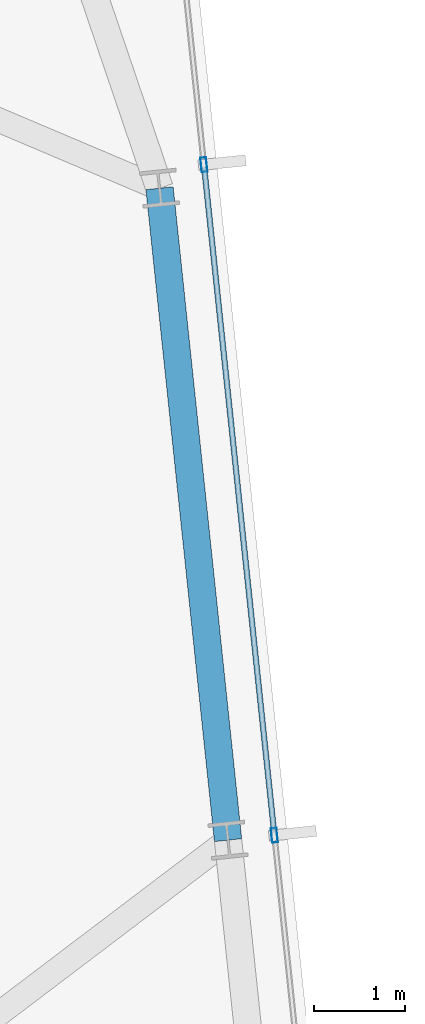
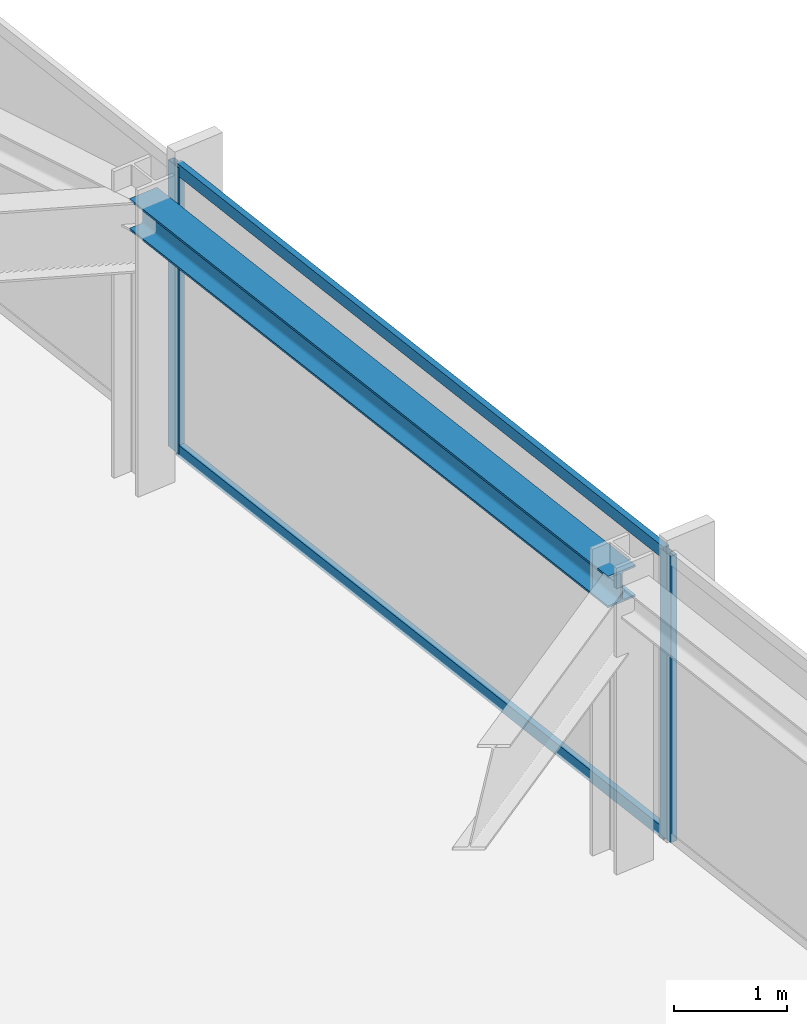
# One storey, part 19 of 33: 4 members, 1 beam, 1 element without a shape of its own.
"""IFC4 building model written with IfcOpenShell, lengths in metres."""

from ifc_helpers import new_model, si_unit, direction, frame, origin, origin_2d, place, context, subcontext, project, spatial, hollow_rectangle, i_section, extrude, material, material_profile, profile_set, type_object, element, aggregate, save


model = new_model("IFC4")

# Units and contexts
model_context = context("Model", 3, precision=1e-05, world=origin(), true_north=direction((0.0, 1.0)))
body_context = subcontext(model_context, "Body", "Model", "MODEL_VIEW")
ifc_project = project(units=[si_unit("LENGTHUNIT", "METRE"), si_unit("AREAUNIT", "SQUARE_METRE"), si_unit("VOLUMEUNIT", "CUBIC_METRE"), si_unit("PLANEANGLEUNIT", "RADIAN"), si_unit("MASSUNIT", "GRAM", prefix="KILO")], contexts=[model_context])

# Site, building, storey
site_placement = place(None, origin())
site = spatial("IfcSite", under=ifc_project, at=site_placement, CompositionType="ELEMENT")
building_placement = place(site_placement, origin())
building = spatial("IfcBuilding", under=site, at=building_placement, Name="Yelkora Congress Tower", CompositionType="ELEMENT")
storey_placement = place(building_placement, frame((0.0, 0.0, 221.0)))
storey = spatial("IfcBuildingStorey", under=building, at=storey_placement, Name="L61", CompositionType="ELEMENT", Elevation=221.0)

# Beam
ifc_material_1 = material(Name="Steel S355J2", Category="steel")
ifc_material_profile_1 = material_profile(ifc_material_1, i_section(OverallWidth=0.300048828125, OverallDepth=0.340087890625, WebThickness=0.011962890625, FlangeThickness=0.021484375, FilletRadius=0.027099609375, at=origin_2d()), Name="HEB 340")
ifc_profile_set_1 = profile_set([ifc_material_profile_1], Name="Steel S355J2")
beam_type = type_object("IfcBeamType", Name="BM-SPAN-HEB340", PredefinedType="SPANDREL", material=ifc_profile_set_1)
beam_placement = place(storey_placement, frame((69.60400390625, 34.296142578125, 2.909912109375), z_axis=(-0.104528914631, 0.994521847928, 0.0), x_axis=(-0.994521847928, -0.104528914631, 0.0)))
element("IfcBeam", 1, at=beam_placement, inside=storey, type_object=beam_type, Name="L61 Perimeter Beam 11", PredefinedType="SPANDREL", context=body_context, shape_type="SweptSolid", body=[
    extrude(i_section(OverallWidth=0.300048828125, OverallDepth=0.340087890625, WebThickness=0.011962890625, FlangeThickness=0.021484375, FilletRadius=0.027099609375, at=origin_2d()), origin(), (0.0, 0.0, 1.0), 7.175048828125),
])

# Curtain wall, members
ifc_material_2 = material(Name="Anodised aluminium and insulated glass", Category="aluminium")
curtain_wall_type = type_object("IfcCurtainWallType", Name="CW-SYS-B4", PredefinedType="NOTDEFINED", material=ifc_material_2)
curtain_wall_placement = place(storey_placement, origin())
curtain_wall = element("IfcCurtainWall", 2, at=curtain_wall_placement, inside=storey, type_object=curtain_wall_type, Name="L61 Unitised Curtain Wall 15", PredefinedType="NOTDEFINED")
ifc_material_3 = material(Name="Anodised aluminium 6063-T6", Category="aluminium")
ifc_material_profile_2 = material_profile(ifc_material_3, hollow_rectangle(XDim=0.06494140625, YDim=0.159912109375, WallThickness=0.00390625, at=origin_2d()), Name="ALU 65x160x4")
ifc_profile_set_2 = profile_set([ifc_material_profile_2], Name="Anodised aluminium 6063-T6")
member_type_1 = type_object("IfcMemberType", Name="MEM-ML-B4", PredefinedType="MULLION", material=ifc_profile_set_2)
member_1_placement = place(storey_placement, frame((69.33984375, 41.68896484375, 0.0), z_axis=(0.0, 0.0, 1.0), x_axis=(0.994522182968, 0.104525726898, 0.0)))
member_1 = element("IfcMember", 3, at=member_1_placement, type_object=member_type_1, Name="CW-B4 mullion 2", PredefinedType="MULLION", context=body_context, shape_type="SweptSolid", body=[
    extrude(hollow_rectangle(XDim=0.06494140625, YDim=0.159912109375, WallThickness=0.00390625, at=origin_2d()), origin(), (0.0, 0.0, 1.0), 3.080078125),
])
member_2_placement = place(storey_placement, frame((70.111083984375, 34.349365234375, 0.0), z_axis=(0.0, 0.0, 1.0), x_axis=(0.994522182968, 0.104525726898, 0.0)))
member_2 = element("IfcMember", 4, at=member_2_placement, type_object=member_type_1, Name="CW-B4 mullion 3", PredefinedType="MULLION", context=body_context, shape_type="SweptSolid", body=[
    extrude(hollow_rectangle(XDim=0.06494140625, YDim=0.159912109375, WallThickness=0.00390625, at=origin_2d()), origin(), (0.0, 0.0, 1.0), 3.080078125),
])
ifc_material_profile_3 = material_profile(ifc_material_3, hollow_rectangle(XDim=0.06005859375, YDim=0.1298828125, WallThickness=0.00390625, at=origin_2d()), Name="ALU 60x130x4")
ifc_profile_set_3 = profile_set([ifc_material_profile_3], Name="Anodised aluminium 6063-T6")
member_type_2 = type_object("IfcMemberType", Name="MEM-TR-B4", PredefinedType="USERDEFINED", material=ifc_profile_set_3)
member_3_placement = place(storey_placement, frame((69.34326171875, 41.65673828125, 0.030029296875), z_axis=(0.104531896307, -0.994521534535, 0.0), x_axis=(0.994521534535, 0.104531896307, 0.0)))
member_3 = element("IfcMember", 5, at=member_3_placement, type_object=member_type_2, Name="CW-B4 transom 2.1", ObjectType="TRANSOM", PredefinedType="USERDEFINED", context=body_context, shape_type="SweptSolid", body=[
    extrude(hollow_rectangle(XDim=0.06005859375, YDim=0.1298828125, WallThickness=0.00390625, at=origin_2d()), origin(), (0.0, 0.0, 1.0), 7.31494140625),
])
member_4_placement = place(storey_placement, frame((69.34326171875, 41.65673828125, 3.050048828125), z_axis=(0.104531896307, -0.994521534535, 0.0), x_axis=(0.994521534535, 0.104531896307, 0.0)))
member_4 = element("IfcMember", 6, at=member_4_placement, type_object=member_type_2, Name="CW-B4 transom 2.2", ObjectType="TRANSOM", PredefinedType="USERDEFINED", context=body_context, shape_type="SweptSolid", body=[
    extrude(hollow_rectangle(XDim=0.06005859375, YDim=0.1298828125, WallThickness=0.00390625, at=origin_2d()), origin(), (0.0, 0.0, 1.0), 7.31494140625),
])
aggregate(curtain_wall, [member_1, member_2, member_3, member_4])

save(model, "model.ifc")
